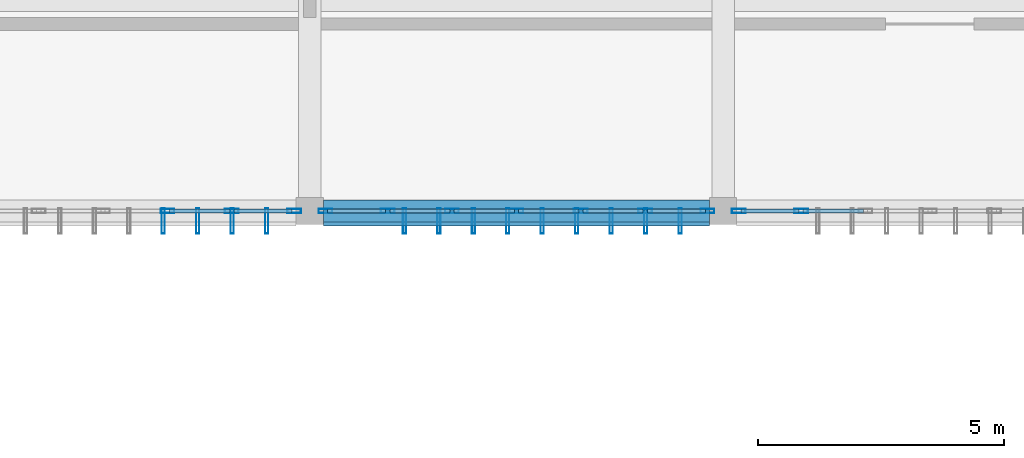
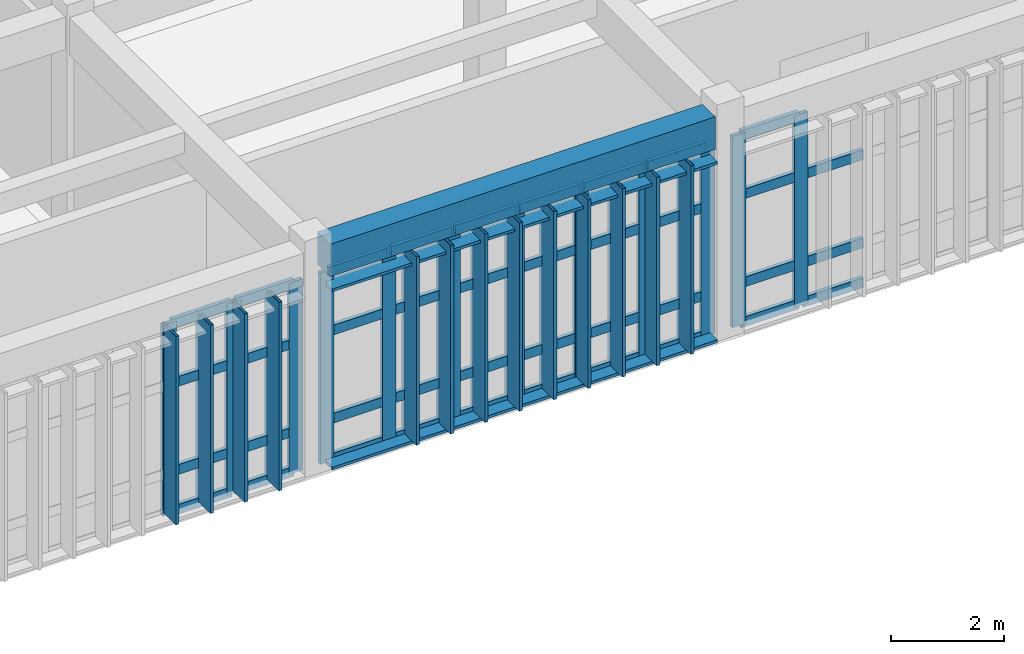
# One storey, part 44 of 106: 66 members, 1 beam, 3 elements without a shape of their own.
"""IFC4 building model written with IfcOpenShell, lengths in metres."""

from ifc_helpers import new_model, si_unit, direction, frame, origin, origin_2d, place, context, subcontext, project, spatial, rectangle, hollow_rectangle, extrude, material, layer, layer_set, material_profile, profile_set, type_object, element, aggregate, save


model = new_model("IFC4")

# Units and contexts
model_context = context("Model", 3, precision=1e-05, world=origin(), true_north=direction((0.0, 1.0)))
body_context = subcontext(model_context, "Body", "Model", "MODEL_VIEW")
ifc_project = project(units=[si_unit("LENGTHUNIT", "METRE"), si_unit("AREAUNIT", "SQUARE_METRE"), si_unit("VOLUMEUNIT", "CUBIC_METRE"), si_unit("PLANEANGLEUNIT", "RADIAN"), si_unit("MASSUNIT", "GRAM", prefix="KILO")], contexts=[model_context])

# Site, building, storey
site_placement = place(None, origin())
site = spatial("IfcSite", under=ifc_project, at=site_placement, CompositionType="ELEMENT")
building_placement = place(site_placement, origin())
building = spatial("IfcBuilding", under=site, at=building_placement, Name="Krzemoval Escarpment Law Courts", CompositionType="ELEMENT")
storey_placement = place(building_placement, frame((0.0, 0.0, 5.10009765625)))
storey = spatial("IfcBuildingStorey", under=building, at=storey_placement, Name="L01", CompositionType="ELEMENT", Elevation=5.10009765625)

# Beam
ifc_material_1 = material(Name="Concrete C40/50", Category="concrete")
ifc_material_profile_1 = material_profile(ifc_material_1, rectangle(XDim=0.449951171875, YDim=0.699951171875, at=origin_2d()), Name="RCB 450x700")
ifc_profile_set_1 = profile_set([ifc_material_profile_1], Name="Concrete C40/50")
beam_type = type_object("IfcBeamType", Name="BM-RC-450x700", PredefinedType="BEAM", material=ifc_profile_set_1)
beam_placement = place(storey_placement, frame((67.47509765625, 99.60009765625, 4.469970703125), z_axis=(1.0, 0.0, 0.0), x_axis=(0.0, 1.0, 0.0)))
element("IfcBeam", 1, at=beam_placement, inside=storey, type_object=beam_type, Name="Beam FG-L01-1307", PredefinedType="BEAM", context=body_context, shape_type="SweptSolid", body=[
    extrude(rectangle(XDim=0.449951171875, YDim=0.699951171875, at=origin_2d()), origin(), (0.0, 0.0, 1.0), 7.849853515625),
])

# Curtain wall, members
ifc_material_2 = material(Name="Aluminium 6063-T6", Category="aluminium")
ifc_layer = layer(ifc_material_2, 0.280029296875)
ifc_layer_set = layer_set([ifc_layer], Name="Aluminium 6063-T6")
curtain_wall_type = type_object("IfcCurtainWallType", Name="CW-HALL-5100", PredefinedType="USERDEFINED", material=ifc_layer_set)
curtain_wall_1_placement = place(storey_placement, origin())
curtain_wall_1 = element("IfcCurtainWall", 2, at=curtain_wall_1_placement, inside=storey, type_object=curtain_wall_type, Name="Unitised Curtain Wall FCW-L01-051", ObjectType="UNITISED_CURTAIN_WALL", PredefinedType="USERDEFINED")
ifc_material_3 = material(Name="Aluminium 6063-T6", Category="aluminium")
ifc_material_profile_2 = material_profile(ifc_material_3, hollow_rectangle(XDim=0.0849609375, YDim=0.280029296875, WallThickness=0.005615234375, at=origin_2d()), Name="ALU M85x280")
ifc_profile_set_2 = profile_set([ifc_material_profile_2], Name="Aluminium 6063-T6")
member_type_1 = type_object("IfcMemberType", Name="CWM-85x280", PredefinedType="MULLION", material=ifc_profile_set_2)
member_1_placement = place(storey_placement, frame((77.183349609375, 99.60009765625, 0.0), z_axis=(0.0, 0.0, 1.0), x_axis=(0.0, -1.0, 0.0)))
member_1 = element("IfcMember", 3, at=member_1_placement, type_object=member_type_1, Name="FCW-L01-051 mullion 6", PredefinedType="MULLION", context=body_context, shape_type="SweptSolid", body=[
    extrude(hollow_rectangle(XDim=0.0849609375, YDim=0.280029296875, WallThickness=0.005615234375, at=origin_2d()), origin(), (0.0, 0.0, 1.0), 4.119873046875),
])
member_2_placement = place(storey_placement, frame((75.91748046875, 99.60009765625, 0.0), z_axis=(0.0, 0.0, 1.0), x_axis=(0.0, -1.0, 0.0)))
member_2 = element("IfcMember", 4, at=member_2_placement, type_object=member_type_1, Name="FCW-L01-051 mullion 7", PredefinedType="MULLION", context=body_context, shape_type="SweptSolid", body=[
    extrude(hollow_rectangle(XDim=0.0849609375, YDim=0.280029296875, WallThickness=0.005615234375, at=origin_2d()), origin(), (0.0, 0.0, 1.0), 4.119873046875),
])

curtain_wall_2_placement = place(storey_placement, origin())
curtain_wall_2 = element("IfcCurtainWall", 5, at=curtain_wall_2_placement, inside=storey, type_object=curtain_wall_type, Name="Unitised Curtain Wall FCW-L01-052", ObjectType="UNITISED_CURTAIN_WALL", PredefinedType="USERDEFINED")
member_3_placement = place(storey_placement, frame((75.282470703125, 99.60009765625, 0.0), z_axis=(0.0, 0.0, 1.0), x_axis=(0.0, -1.0, 0.0)))
member_3 = element("IfcMember", 6, at=member_3_placement, type_object=member_type_1, Name="FCW-L01-052 mullion 1", PredefinedType="MULLION", context=body_context, shape_type="SweptSolid", body=[
    extrude(hollow_rectangle(XDim=0.0849609375, YDim=0.280029296875, WallThickness=0.005615234375, at=origin_2d()), origin(), (0.0, 0.0, 1.0), 4.119873046875),
])
member_4_placement = place(storey_placement, frame((74.0166015625, 99.60009765625, 0.0), z_axis=(0.0, 0.0, 1.0), x_axis=(0.0, -1.0, 0.0)))
member_4 = element("IfcMember", 7, at=member_4_placement, type_object=member_type_1, Name="FCW-L01-052 mullion 2", PredefinedType="MULLION", context=body_context, shape_type="SweptSolid", body=[
    extrude(hollow_rectangle(XDim=0.0849609375, YDim=0.280029296875, WallThickness=0.005615234375, at=origin_2d()), origin(), (0.0, 0.0, 1.0), 4.119873046875),
])
member_5_placement = place(storey_placement, frame((72.708251953125, 99.60009765625, 0.0), z_axis=(0.0, 0.0, 1.0), x_axis=(0.0, -1.0, 0.0)))
member_5 = element("IfcMember", 8, at=member_5_placement, type_object=member_type_1, Name="FCW-L01-052 mullion 3", PredefinedType="MULLION", context=body_context, shape_type="SweptSolid", body=[
    extrude(hollow_rectangle(XDim=0.0849609375, YDim=0.280029296875, WallThickness=0.005615234375, at=origin_2d()), origin(), (0.0, 0.0, 1.0), 4.119873046875),
])
member_6_placement = place(storey_placement, frame((71.39990234375, 99.60009765625, 0.0), z_axis=(0.0, 0.0, 1.0), x_axis=(0.0, -1.0, 0.0)))
member_6 = element("IfcMember", 9, at=member_6_placement, type_object=member_type_1, Name="FCW-L01-052 mullion 4", PredefinedType="MULLION", context=body_context, shape_type="SweptSolid", body=[
    extrude(hollow_rectangle(XDim=0.0849609375, YDim=0.280029296875, WallThickness=0.005615234375, at=origin_2d()), origin(), (0.0, 0.0, 1.0), 4.119873046875),
])
member_7_placement = place(storey_placement, frame((70.091552734375, 99.60009765625, 0.0), z_axis=(0.0, 0.0, 1.0), x_axis=(0.0, -1.0, 0.0)))
member_7 = element("IfcMember", 10, at=member_7_placement, type_object=member_type_1, Name="FCW-L01-052 mullion 5", PredefinedType="MULLION", context=body_context, shape_type="SweptSolid", body=[
    extrude(hollow_rectangle(XDim=0.0849609375, YDim=0.280029296875, WallThickness=0.005615234375, at=origin_2d()), origin(), (0.0, 0.0, 1.0), 4.119873046875),
])
member_8_placement = place(storey_placement, frame((68.783447265625, 99.60009765625, 0.0), z_axis=(0.0, 0.0, 1.0), x_axis=(0.0, -1.0, 0.0)))
member_8 = element("IfcMember", 11, at=member_8_placement, type_object=member_type_1, Name="FCW-L01-052 mullion 6", PredefinedType="MULLION", context=body_context, shape_type="SweptSolid", body=[
    extrude(hollow_rectangle(XDim=0.0849609375, YDim=0.280029296875, WallThickness=0.005615234375, at=origin_2d()), origin(), (0.0, 0.0, 1.0), 4.119873046875),
])
member_9_placement = place(storey_placement, frame((67.517578125, 99.60009765625, 0.0), z_axis=(0.0, 0.0, 1.0), x_axis=(0.0, -1.0, 0.0)))
member_9 = element("IfcMember", 12, at=member_9_placement, type_object=member_type_1, Name="FCW-L01-052 mullion 7", PredefinedType="MULLION", context=body_context, shape_type="SweptSolid", body=[
    extrude(hollow_rectangle(XDim=0.0849609375, YDim=0.280029296875, WallThickness=0.005615234375, at=origin_2d()), origin(), (0.0, 0.0, 1.0), 4.119873046875),
])

curtain_wall_3_placement = place(storey_placement, origin())
curtain_wall_3 = element("IfcCurtainWall", 13, at=curtain_wall_3_placement, inside=storey, type_object=curtain_wall_type, Name="Unitised Curtain Wall FCW-L01-053", ObjectType="UNITISED_CURTAIN_WALL", PredefinedType="USERDEFINED")
member_10_placement = place(storey_placement, frame((66.882568359375, 99.60009765625, 0.0), z_axis=(0.0, 0.0, 1.0), x_axis=(0.0, -1.0, 0.0)))
member_10 = element("IfcMember", 14, at=member_10_placement, type_object=member_type_1, Name="FCW-L01-053 mullion 1", PredefinedType="MULLION", context=body_context, shape_type="SweptSolid", body=[
    extrude(hollow_rectangle(XDim=0.0849609375, YDim=0.280029296875, WallThickness=0.005615234375, at=origin_2d()), origin(), (0.0, 0.0, 1.0), 4.119873046875),
])
member_11_placement = place(storey_placement, frame((65.61669921875, 99.60009765625, 0.0), z_axis=(0.0, 0.0, 1.0), x_axis=(0.0, -1.0, 0.0)))
member_11 = element("IfcMember", 15, at=member_11_placement, type_object=member_type_1, Name="FCW-L01-053 mullion 2", PredefinedType="MULLION", context=body_context, shape_type="SweptSolid", body=[
    extrude(hollow_rectangle(XDim=0.0849609375, YDim=0.280029296875, WallThickness=0.005615234375, at=origin_2d()), origin(), (0.0, 0.0, 1.0), 4.119873046875),
])
member_12_placement = place(storey_placement, frame((64.308349609375, 99.60009765625, 0.0), z_axis=(0.0, 0.0, 1.0), x_axis=(0.0, -1.0, 0.0)))
member_12 = element("IfcMember", 16, at=member_12_placement, type_object=member_type_1, Name="FCW-L01-053 mullion 3", PredefinedType="MULLION", context=body_context, shape_type="SweptSolid", body=[
    extrude(hollow_rectangle(XDim=0.0849609375, YDim=0.280029296875, WallThickness=0.005615234375, at=origin_2d()), origin(), (0.0, 0.0, 1.0), 4.119873046875),
])

# Member
ifc_material_4 = material(Name="Aluminium 6063-T6", Category="aluminium")
ifc_material_profile_3 = material_profile(ifc_material_4, hollow_rectangle(XDim=0.0849609375, YDim=0.2099609375, WallThickness=0.005615234375, at=origin_2d()), Name="ALU T85x210")
ifc_profile_set_3 = profile_set([ifc_material_profile_3], Name="Aluminium 6063-T6")
member_type_2 = type_object("IfcMemberType", Name="CWT-85x210", PredefinedType="USERDEFINED", material=ifc_profile_set_3)
member_13_placement = place(storey_placement, frame((78.44921875, 99.60009765625, 0.04248046875), z_axis=(-1.0, 0.0, 0.0), x_axis=(0.0, -1.0, 0.0)))
member_13 = element("IfcMember", 17, at=member_13_placement, type_object=member_type_2, Name="FCW-L01-051 transom 5.1", ObjectType="TRANSOM", PredefinedType="USERDEFINED", context=body_context, shape_type="SweptSolid", body=[
    extrude(hollow_rectangle(XDim=0.0849609375, YDim=0.2099609375, WallThickness=0.005615234375, at=origin_2d()), origin(), (0.0, 0.0, 1.0), 1.223388671875),
])

member_14_placement = place(storey_placement, frame((78.44921875, 99.60009765625, 0.89990234375), z_axis=(-1.0, 0.0, 0.0), x_axis=(0.0, -1.0, 0.0)))
member_14 = element("IfcMember", 18, at=member_14_placement, type_object=member_type_2, Name="FCW-L01-051 transom 5.2", ObjectType="TRANSOM", PredefinedType="USERDEFINED", context=body_context, shape_type="SweptSolid", body=[
    extrude(hollow_rectangle(XDim=0.0849609375, YDim=0.2099609375, WallThickness=0.005615234375, at=origin_2d()), origin(), (0.0, 0.0, 1.0), 1.223388671875),
])

member_15_placement = place(storey_placement, frame((78.44921875, 99.60009765625, 2.7998046875), z_axis=(-1.0, 0.0, 0.0), x_axis=(0.0, -1.0, 0.0)))
member_15 = element("IfcMember", 19, at=member_15_placement, type_object=member_type_2, Name="FCW-L01-051 transom 5.3", ObjectType="TRANSOM", PredefinedType="USERDEFINED", context=body_context, shape_type="SweptSolid", body=[
    extrude(hollow_rectangle(XDim=0.0849609375, YDim=0.2099609375, WallThickness=0.005615234375, at=origin_2d()), origin(), (0.0, 0.0, 1.0), 1.223388671875),
])

member_16_placement = place(storey_placement, frame((77.140869140625, 99.60009765625, 0.04248046875), z_axis=(-1.0, 0.0, 0.0), x_axis=(0.0, -1.0, 0.0)))
member_16 = element("IfcMember", 20, at=member_16_placement, type_object=member_type_2, Name="FCW-L01-051 transom 6.1", ObjectType="TRANSOM", PredefinedType="USERDEFINED", context=body_context, shape_type="SweptSolid", body=[
    extrude(hollow_rectangle(XDim=0.0849609375, YDim=0.2099609375, WallThickness=0.005615234375, at=origin_2d()), origin(), (0.0, 0.0, 1.0), 1.180908203125),
])

member_17_placement = place(storey_placement, frame((77.140869140625, 99.60009765625, 0.89990234375), z_axis=(-1.0, 0.0, 0.0), x_axis=(0.0, -1.0, 0.0)))
member_17 = element("IfcMember", 21, at=member_17_placement, type_object=member_type_2, Name="FCW-L01-051 transom 6.2", ObjectType="TRANSOM", PredefinedType="USERDEFINED", context=body_context, shape_type="SweptSolid", body=[
    extrude(hollow_rectangle(XDim=0.0849609375, YDim=0.2099609375, WallThickness=0.005615234375, at=origin_2d()), origin(), (0.0, 0.0, 1.0), 1.180908203125),
])

member_18_placement = place(storey_placement, frame((77.140869140625, 99.60009765625, 2.7998046875), z_axis=(-1.0, 0.0, 0.0), x_axis=(0.0, -1.0, 0.0)))
member_18 = element("IfcMember", 22, at=member_18_placement, type_object=member_type_2, Name="FCW-L01-051 transom 6.3", ObjectType="TRANSOM", PredefinedType="USERDEFINED", context=body_context, shape_type="SweptSolid", body=[
    extrude(hollow_rectangle(XDim=0.0849609375, YDim=0.2099609375, WallThickness=0.005615234375, at=origin_2d()), origin(), (0.0, 0.0, 1.0), 1.180908203125),
])

member_19_placement = place(storey_placement, frame((77.140869140625, 99.60009765625, 4.077392578125), z_axis=(-1.0, 0.0, 0.0), x_axis=(0.0, -1.0, 0.0)))
member_19 = element("IfcMember", 23, at=member_19_placement, type_object=member_type_2, Name="FCW-L01-051 transom 6.4", ObjectType="TRANSOM", PredefinedType="USERDEFINED", context=body_context, shape_type="SweptSolid", body=[
    extrude(hollow_rectangle(XDim=0.0849609375, YDim=0.2099609375, WallThickness=0.005615234375, at=origin_2d()), origin(), (0.0, 0.0, 1.0), 1.180908203125),
])

aggregate(curtain_wall_1, [member_1, member_2, member_13, member_14, member_15, member_16, member_17, member_18, member_19])

member_20_placement = place(storey_placement, frame((75.239990234375, 99.60009765625, 0.04248046875), z_axis=(-1.0, 0.0, 0.0), x_axis=(0.0, -1.0, 0.0)))
member_20 = element("IfcMember", 24, at=member_20_placement, type_object=member_type_2, Name="FCW-L01-052 transom 1.1", ObjectType="TRANSOM", PredefinedType="USERDEFINED", context=body_context, shape_type="SweptSolid", body=[
    extrude(hollow_rectangle(XDim=0.0849609375, YDim=0.2099609375, WallThickness=0.005615234375, at=origin_2d()), origin(), (0.0, 0.0, 1.0), 1.180908203125),
])

member_21_placement = place(storey_placement, frame((75.239990234375, 99.60009765625, 0.89990234375), z_axis=(-1.0, 0.0, 0.0), x_axis=(0.0, -1.0, 0.0)))
member_21 = element("IfcMember", 25, at=member_21_placement, type_object=member_type_2, Name="FCW-L01-052 transom 1.2", ObjectType="TRANSOM", PredefinedType="USERDEFINED", context=body_context, shape_type="SweptSolid", body=[
    extrude(hollow_rectangle(XDim=0.0849609375, YDim=0.2099609375, WallThickness=0.005615234375, at=origin_2d()), origin(), (0.0, 0.0, 1.0), 1.180908203125),
])

member_22_placement = place(storey_placement, frame((75.239990234375, 99.60009765625, 2.7998046875), z_axis=(-1.0, 0.0, 0.0), x_axis=(0.0, -1.0, 0.0)))
member_22 = element("IfcMember", 26, at=member_22_placement, type_object=member_type_2, Name="FCW-L01-052 transom 1.3", ObjectType="TRANSOM", PredefinedType="USERDEFINED", context=body_context, shape_type="SweptSolid", body=[
    extrude(hollow_rectangle(XDim=0.0849609375, YDim=0.2099609375, WallThickness=0.005615234375, at=origin_2d()), origin(), (0.0, 0.0, 1.0), 1.180908203125),
])

member_23_placement = place(storey_placement, frame((75.239990234375, 99.60009765625, 4.077392578125), z_axis=(-1.0, 0.0, 0.0), x_axis=(0.0, -1.0, 0.0)))
member_23 = element("IfcMember", 27, at=member_23_placement, type_object=member_type_2, Name="FCW-L01-052 transom 1.4", ObjectType="TRANSOM", PredefinedType="USERDEFINED", context=body_context, shape_type="SweptSolid", body=[
    extrude(hollow_rectangle(XDim=0.0849609375, YDim=0.2099609375, WallThickness=0.005615234375, at=origin_2d()), origin(), (0.0, 0.0, 1.0), 1.180908203125),
])

member_24_placement = place(storey_placement, frame((73.97412109375, 99.60009765625, 0.04248046875), z_axis=(-1.0, 0.0, 0.0), x_axis=(0.0, -1.0, 0.0)))
member_24 = element("IfcMember", 28, at=member_24_placement, type_object=member_type_2, Name="FCW-L01-052 transom 2.1", ObjectType="TRANSOM", PredefinedType="USERDEFINED", context=body_context, shape_type="SweptSolid", body=[
    extrude(hollow_rectangle(XDim=0.0849609375, YDim=0.2099609375, WallThickness=0.005615234375, at=origin_2d()), origin(), (0.0, 0.0, 1.0), 1.223388671875),
])

member_25_placement = place(storey_placement, frame((73.97412109375, 99.60009765625, 0.89990234375), z_axis=(-1.0, 0.0, 0.0), x_axis=(0.0, -1.0, 0.0)))
member_25 = element("IfcMember", 29, at=member_25_placement, type_object=member_type_2, Name="FCW-L01-052 transom 2.2", ObjectType="TRANSOM", PredefinedType="USERDEFINED", context=body_context, shape_type="SweptSolid", body=[
    extrude(hollow_rectangle(XDim=0.0849609375, YDim=0.2099609375, WallThickness=0.005615234375, at=origin_2d()), origin(), (0.0, 0.0, 1.0), 1.223388671875),
])

member_26_placement = place(storey_placement, frame((73.97412109375, 99.60009765625, 2.7998046875), z_axis=(-1.0, 0.0, 0.0), x_axis=(0.0, -1.0, 0.0)))
member_26 = element("IfcMember", 30, at=member_26_placement, type_object=member_type_2, Name="FCW-L01-052 transom 2.3", ObjectType="TRANSOM", PredefinedType="USERDEFINED", context=body_context, shape_type="SweptSolid", body=[
    extrude(hollow_rectangle(XDim=0.0849609375, YDim=0.2099609375, WallThickness=0.005615234375, at=origin_2d()), origin(), (0.0, 0.0, 1.0), 1.223388671875),
])

member_27_placement = place(storey_placement, frame((73.97412109375, 99.60009765625, 4.077392578125), z_axis=(-1.0, 0.0, 0.0), x_axis=(0.0, -1.0, 0.0)))
member_27 = element("IfcMember", 31, at=member_27_placement, type_object=member_type_2, Name="FCW-L01-052 transom 2.4", ObjectType="TRANSOM", PredefinedType="USERDEFINED", context=body_context, shape_type="SweptSolid", body=[
    extrude(hollow_rectangle(XDim=0.0849609375, YDim=0.2099609375, WallThickness=0.005615234375, at=origin_2d()), origin(), (0.0, 0.0, 1.0), 1.223388671875),
])

member_28_placement = place(storey_placement, frame((72.665771484375, 99.60009765625, 0.04248046875), z_axis=(-1.0, 0.0, 0.0), x_axis=(0.0, -1.0, 0.0)))
member_28 = element("IfcMember", 32, at=member_28_placement, type_object=member_type_2, Name="FCW-L01-052 transom 3.1", ObjectType="TRANSOM", PredefinedType="USERDEFINED", context=body_context, shape_type="SweptSolid", body=[
    extrude(hollow_rectangle(XDim=0.0849609375, YDim=0.2099609375, WallThickness=0.005615234375, at=origin_2d()), origin(), (0.0, 0.0, 1.0), 1.223388671875),
])

member_29_placement = place(storey_placement, frame((72.665771484375, 99.60009765625, 0.89990234375), z_axis=(-1.0, 0.0, 0.0), x_axis=(0.0, -1.0, 0.0)))
member_29 = element("IfcMember", 33, at=member_29_placement, type_object=member_type_2, Name="FCW-L01-052 transom 3.2", ObjectType="TRANSOM", PredefinedType="USERDEFINED", context=body_context, shape_type="SweptSolid", body=[
    extrude(hollow_rectangle(XDim=0.0849609375, YDim=0.2099609375, WallThickness=0.005615234375, at=origin_2d()), origin(), (0.0, 0.0, 1.0), 1.223388671875),
])

member_30_placement = place(storey_placement, frame((72.665771484375, 99.60009765625, 2.7998046875), z_axis=(-1.0, 0.0, 0.0), x_axis=(0.0, -1.0, 0.0)))
member_30 = element("IfcMember", 34, at=member_30_placement, type_object=member_type_2, Name="FCW-L01-052 transom 3.3", ObjectType="TRANSOM", PredefinedType="USERDEFINED", context=body_context, shape_type="SweptSolid", body=[
    extrude(hollow_rectangle(XDim=0.0849609375, YDim=0.2099609375, WallThickness=0.005615234375, at=origin_2d()), origin(), (0.0, 0.0, 1.0), 1.223388671875),
])

member_31_placement = place(storey_placement, frame((72.665771484375, 99.60009765625, 4.077392578125), z_axis=(-1.0, 0.0, 0.0), x_axis=(0.0, -1.0, 0.0)))
member_31 = element("IfcMember", 35, at=member_31_placement, type_object=member_type_2, Name="FCW-L01-052 transom 3.4", ObjectType="TRANSOM", PredefinedType="USERDEFINED", context=body_context, shape_type="SweptSolid", body=[
    extrude(hollow_rectangle(XDim=0.0849609375, YDim=0.2099609375, WallThickness=0.005615234375, at=origin_2d()), origin(), (0.0, 0.0, 1.0), 1.223388671875),
])

member_32_placement = place(storey_placement, frame((71.357421875, 99.60009765625, 0.04248046875), z_axis=(-1.0, 0.0, 0.0), x_axis=(0.0, -1.0, 0.0)))
member_32 = element("IfcMember", 36, at=member_32_placement, type_object=member_type_2, Name="FCW-L01-052 transom 4.1", ObjectType="TRANSOM", PredefinedType="USERDEFINED", context=body_context, shape_type="SweptSolid", body=[
    extrude(hollow_rectangle(XDim=0.0849609375, YDim=0.2099609375, WallThickness=0.005615234375, at=origin_2d()), origin(), (0.0, 0.0, 1.0), 1.22314453125),
])

member_33_placement = place(storey_placement, frame((71.357421875, 99.60009765625, 0.89990234375), z_axis=(-1.0, 0.0, 0.0), x_axis=(0.0, -1.0, 0.0)))
member_33 = element("IfcMember", 37, at=member_33_placement, type_object=member_type_2, Name="FCW-L01-052 transom 4.2", ObjectType="TRANSOM", PredefinedType="USERDEFINED", context=body_context, shape_type="SweptSolid", body=[
    extrude(hollow_rectangle(XDim=0.0849609375, YDim=0.2099609375, WallThickness=0.005615234375, at=origin_2d()), origin(), (0.0, 0.0, 1.0), 1.22314453125),
])

member_34_placement = place(storey_placement, frame((71.357421875, 99.60009765625, 2.7998046875), z_axis=(-1.0, 0.0, 0.0), x_axis=(0.0, -1.0, 0.0)))
member_34 = element("IfcMember", 38, at=member_34_placement, type_object=member_type_2, Name="FCW-L01-052 transom 4.3", ObjectType="TRANSOM", PredefinedType="USERDEFINED", context=body_context, shape_type="SweptSolid", body=[
    extrude(hollow_rectangle(XDim=0.0849609375, YDim=0.2099609375, WallThickness=0.005615234375, at=origin_2d()), origin(), (0.0, 0.0, 1.0), 1.22314453125),
])

member_35_placement = place(storey_placement, frame((71.357421875, 99.60009765625, 4.077392578125), z_axis=(-1.0, 0.0, 0.0), x_axis=(0.0, -1.0, 0.0)))
member_35 = element("IfcMember", 39, at=member_35_placement, type_object=member_type_2, Name="FCW-L01-052 transom 4.4", ObjectType="TRANSOM", PredefinedType="USERDEFINED", context=body_context, shape_type="SweptSolid", body=[
    extrude(hollow_rectangle(XDim=0.0849609375, YDim=0.2099609375, WallThickness=0.005615234375, at=origin_2d()), origin(), (0.0, 0.0, 1.0), 1.22314453125),
])

member_36_placement = place(storey_placement, frame((70.049072265625, 99.60009765625, 0.04248046875), z_axis=(-1.0, 0.0, 0.0), x_axis=(0.0, -1.0, 0.0)))
member_36 = element("IfcMember", 40, at=member_36_placement, type_object=member_type_2, Name="FCW-L01-052 transom 5.1", ObjectType="TRANSOM", PredefinedType="USERDEFINED", context=body_context, shape_type="SweptSolid", body=[
    extrude(hollow_rectangle(XDim=0.0849609375, YDim=0.2099609375, WallThickness=0.005615234375, at=origin_2d()), origin(), (0.0, 0.0, 1.0), 1.22314453125),
])

member_37_placement = place(storey_placement, frame((70.049072265625, 99.60009765625, 0.89990234375), z_axis=(-1.0, 0.0, 0.0), x_axis=(0.0, -1.0, 0.0)))
member_37 = element("IfcMember", 41, at=member_37_placement, type_object=member_type_2, Name="FCW-L01-052 transom 5.2", ObjectType="TRANSOM", PredefinedType="USERDEFINED", context=body_context, shape_type="SweptSolid", body=[
    extrude(hollow_rectangle(XDim=0.0849609375, YDim=0.2099609375, WallThickness=0.005615234375, at=origin_2d()), origin(), (0.0, 0.0, 1.0), 1.22314453125),
])

member_38_placement = place(storey_placement, frame((70.049072265625, 99.60009765625, 2.7998046875), z_axis=(-1.0, 0.0, 0.0), x_axis=(0.0, -1.0, 0.0)))
member_38 = element("IfcMember", 42, at=member_38_placement, type_object=member_type_2, Name="FCW-L01-052 transom 5.3", ObjectType="TRANSOM", PredefinedType="USERDEFINED", context=body_context, shape_type="SweptSolid", body=[
    extrude(hollow_rectangle(XDim=0.0849609375, YDim=0.2099609375, WallThickness=0.005615234375, at=origin_2d()), origin(), (0.0, 0.0, 1.0), 1.22314453125),
])

member_39_placement = place(storey_placement, frame((70.049072265625, 99.60009765625, 4.077392578125), z_axis=(-1.0, 0.0, 0.0), x_axis=(0.0, -1.0, 0.0)))
member_39 = element("IfcMember", 43, at=member_39_placement, type_object=member_type_2, Name="FCW-L01-052 transom 5.4", ObjectType="TRANSOM", PredefinedType="USERDEFINED", context=body_context, shape_type="SweptSolid", body=[
    extrude(hollow_rectangle(XDim=0.0849609375, YDim=0.2099609375, WallThickness=0.005615234375, at=origin_2d()), origin(), (0.0, 0.0, 1.0), 1.22314453125),
])

member_40_placement = place(storey_placement, frame((68.74072265625, 99.60009765625, 0.04248046875), z_axis=(-1.0, 0.0, 0.0), x_axis=(0.0, -1.0, 0.0)))
member_40 = element("IfcMember", 44, at=member_40_placement, type_object=member_type_2, Name="FCW-L01-052 transom 6.1", ObjectType="TRANSOM", PredefinedType="USERDEFINED", context=body_context, shape_type="SweptSolid", body=[
    extrude(hollow_rectangle(XDim=0.0849609375, YDim=0.2099609375, WallThickness=0.005615234375, at=origin_2d()), origin(), (0.0, 0.0, 1.0), 1.1806640625),
])

member_41_placement = place(storey_placement, frame((68.74072265625, 99.60009765625, 0.89990234375), z_axis=(-1.0, 0.0, 0.0), x_axis=(0.0, -1.0, 0.0)))
member_41 = element("IfcMember", 45, at=member_41_placement, type_object=member_type_2, Name="FCW-L01-052 transom 6.2", ObjectType="TRANSOM", PredefinedType="USERDEFINED", context=body_context, shape_type="SweptSolid", body=[
    extrude(hollow_rectangle(XDim=0.0849609375, YDim=0.2099609375, WallThickness=0.005615234375, at=origin_2d()), origin(), (0.0, 0.0, 1.0), 1.1806640625),
])

member_42_placement = place(storey_placement, frame((68.74072265625, 99.60009765625, 2.7998046875), z_axis=(-1.0, 0.0, 0.0), x_axis=(0.0, -1.0, 0.0)))
member_42 = element("IfcMember", 46, at=member_42_placement, type_object=member_type_2, Name="FCW-L01-052 transom 6.3", ObjectType="TRANSOM", PredefinedType="USERDEFINED", context=body_context, shape_type="SweptSolid", body=[
    extrude(hollow_rectangle(XDim=0.0849609375, YDim=0.2099609375, WallThickness=0.005615234375, at=origin_2d()), origin(), (0.0, 0.0, 1.0), 1.1806640625),
])

member_43_placement = place(storey_placement, frame((68.74072265625, 99.60009765625, 4.077392578125), z_axis=(-1.0, 0.0, 0.0), x_axis=(0.0, -1.0, 0.0)))
member_43 = element("IfcMember", 47, at=member_43_placement, type_object=member_type_2, Name="FCW-L01-052 transom 6.4", ObjectType="TRANSOM", PredefinedType="USERDEFINED", context=body_context, shape_type="SweptSolid", body=[
    extrude(hollow_rectangle(XDim=0.0849609375, YDim=0.2099609375, WallThickness=0.005615234375, at=origin_2d()), origin(), (0.0, 0.0, 1.0), 1.1806640625),
])

aggregate(curtain_wall_2, [member_3, member_4, member_5, member_6, member_7, member_8, member_9, member_20, member_21, member_22, member_23, member_24, member_25, member_26, member_27, member_28, member_29, member_30, member_31, member_32, member_33, member_34, member_35, member_36, member_37, member_38, member_39, member_40, member_41, member_42, member_43])

member_44_placement = place(storey_placement, frame((66.840087890625, 99.60009765625, 0.04248046875), z_axis=(-1.0, 0.0, 0.0), x_axis=(0.0, -1.0, 0.0)))
member_44 = element("IfcMember", 48, at=member_44_placement, type_object=member_type_2, Name="FCW-L01-053 transom 1.1", ObjectType="TRANSOM", PredefinedType="USERDEFINED", context=body_context, shape_type="SweptSolid", body=[
    extrude(hollow_rectangle(XDim=0.0849609375, YDim=0.2099609375, WallThickness=0.005615234375, at=origin_2d()), origin(), (0.0, 0.0, 1.0), 1.180908203125),
])

member_45_placement = place(storey_placement, frame((66.840087890625, 99.60009765625, 0.89990234375), z_axis=(-1.0, 0.0, 0.0), x_axis=(0.0, -1.0, 0.0)))
member_45 = element("IfcMember", 49, at=member_45_placement, type_object=member_type_2, Name="FCW-L01-053 transom 1.2", ObjectType="TRANSOM", PredefinedType="USERDEFINED", context=body_context, shape_type="SweptSolid", body=[
    extrude(hollow_rectangle(XDim=0.0849609375, YDim=0.2099609375, WallThickness=0.005615234375, at=origin_2d()), origin(), (0.0, 0.0, 1.0), 1.180908203125),
])

member_46_placement = place(storey_placement, frame((66.840087890625, 99.60009765625, 2.7998046875), z_axis=(-1.0, 0.0, 0.0), x_axis=(0.0, -1.0, 0.0)))
member_46 = element("IfcMember", 50, at=member_46_placement, type_object=member_type_2, Name="FCW-L01-053 transom 1.3", ObjectType="TRANSOM", PredefinedType="USERDEFINED", context=body_context, shape_type="SweptSolid", body=[
    extrude(hollow_rectangle(XDim=0.0849609375, YDim=0.2099609375, WallThickness=0.005615234375, at=origin_2d()), origin(), (0.0, 0.0, 1.0), 1.180908203125),
])

member_47_placement = place(storey_placement, frame((66.840087890625, 99.60009765625, 4.077392578125), z_axis=(-1.0, 0.0, 0.0), x_axis=(0.0, -1.0, 0.0)))
member_47 = element("IfcMember", 51, at=member_47_placement, type_object=member_type_2, Name="FCW-L01-053 transom 1.4", ObjectType="TRANSOM", PredefinedType="USERDEFINED", context=body_context, shape_type="SweptSolid", body=[
    extrude(hollow_rectangle(XDim=0.0849609375, YDim=0.2099609375, WallThickness=0.005615234375, at=origin_2d()), origin(), (0.0, 0.0, 1.0), 1.180908203125),
])

member_48_placement = place(storey_placement, frame((65.57421875, 99.60009765625, 0.04248046875), z_axis=(-1.0, 0.0, 0.0), x_axis=(0.0, -1.0, 0.0)))
member_48 = element("IfcMember", 52, at=member_48_placement, type_object=member_type_2, Name="FCW-L01-053 transom 2.1", ObjectType="TRANSOM", PredefinedType="USERDEFINED", context=body_context, shape_type="SweptSolid", body=[
    extrude(hollow_rectangle(XDim=0.0849609375, YDim=0.2099609375, WallThickness=0.005615234375, at=origin_2d()), origin(), (0.0, 0.0, 1.0), 1.223388671875),
])

member_49_placement = place(storey_placement, frame((65.57421875, 99.60009765625, 0.89990234375), z_axis=(-1.0, 0.0, 0.0), x_axis=(0.0, -1.0, 0.0)))
member_49 = element("IfcMember", 53, at=member_49_placement, type_object=member_type_2, Name="FCW-L01-053 transom 2.2", ObjectType="TRANSOM", PredefinedType="USERDEFINED", context=body_context, shape_type="SweptSolid", body=[
    extrude(hollow_rectangle(XDim=0.0849609375, YDim=0.2099609375, WallThickness=0.005615234375, at=origin_2d()), origin(), (0.0, 0.0, 1.0), 1.223388671875),
])

member_50_placement = place(storey_placement, frame((65.57421875, 99.60009765625, 2.7998046875), z_axis=(-1.0, 0.0, 0.0), x_axis=(0.0, -1.0, 0.0)))
member_50 = element("IfcMember", 54, at=member_50_placement, type_object=member_type_2, Name="FCW-L01-053 transom 2.3", ObjectType="TRANSOM", PredefinedType="USERDEFINED", context=body_context, shape_type="SweptSolid", body=[
    extrude(hollow_rectangle(XDim=0.0849609375, YDim=0.2099609375, WallThickness=0.005615234375, at=origin_2d()), origin(), (0.0, 0.0, 1.0), 1.223388671875),
])

member_51_placement = place(storey_placement, frame((65.57421875, 99.60009765625, 4.077392578125), z_axis=(-1.0, 0.0, 0.0), x_axis=(0.0, -1.0, 0.0)))
member_51 = element("IfcMember", 55, at=member_51_placement, type_object=member_type_2, Name="FCW-L01-053 transom 2.4", ObjectType="TRANSOM", PredefinedType="USERDEFINED", context=body_context, shape_type="SweptSolid", body=[
    extrude(hollow_rectangle(XDim=0.0849609375, YDim=0.2099609375, WallThickness=0.005615234375, at=origin_2d()), origin(), (0.0, 0.0, 1.0), 1.223388671875),
])

aggregate(curtain_wall_3, [member_10, member_11, member_12, member_44, member_45, member_46, member_47, member_48, member_49, member_50, member_51])

# Members
ifc_material_5 = material(Name="Anodised Aluminium Alloy 6063-T6", Category="aluminium")
ifc_material_profile_4 = material_profile(ifc_material_5, hollow_rectangle(XDim=0.06005859375, YDim=0.320068359375, WallThickness=0.00390625, at=origin_2d()), Name="ALU LVR 60x320")
ifc_profile_set_4 = profile_set([ifc_material_profile_4], Name="Anodised Aluminium Alloy 6063-T6")
member_type_3 = type_object("IfcMemberType", Name="LVR-ALU-320", PredefinedType="USERDEFINED", material=ifc_profile_set_4)
for number, where, z_axis, x_axis, name in (
    (56, (75.324951171875, 99.4599609375, 0.02978515625), (-1.0, 0.0, 0.0), (0.0, 0.0, 1.0), "Sunshade Support Rail FSR-L01-0246"),
    (57, (75.324951171875, 99.4599609375, 3.869873046875), (-1.0, 0.0, 0.0), (0.0, 0.0, 1.0), "Sunshade Support Rail FSR-L01-0247"),
):
    element("IfcMember", number, at=place(storey_placement, frame(where, z_axis=z_axis, x_axis=x_axis)), inside=storey, type_object=member_type_3, Name=name, ObjectType="SUNSHADE_LOUVRE", PredefinedType="USERDEFINED", context=body_context, shape_type="SweptSolid", body=[
        extrude(hollow_rectangle(XDim=0.06005859375, YDim=0.320068359375, WallThickness=0.00390625, at=origin_2d()), origin(), (0.0, 0.0, 1.0), 7.849853515625),
    ])
ifc_material_6 = material(Name="Anodised Aluminium Alloy 6063-T6", Category="aluminium")
ifc_material_profile_5 = material_profile(ifc_material_6, hollow_rectangle(XDim=0.06494140625, YDim=0.52001953125, WallThickness=0.00439453125, at=origin_2d()), Name="ALU LVR 65x520")
ifc_profile_set_5 = profile_set([ifc_material_profile_5], Name="Anodised Aluminium Alloy 6063-T6")
member_type_4 = type_object("IfcMemberType", Name="LVR-ALU-520", PredefinedType="USERDEFINED", material=ifc_profile_set_5)
for number, where, z_axis, x_axis, name in (
    (58, (74.72509765625, 99.39990234375, 0.059814453125), (0.0, 0.0, 1.0), (1.0, 0.0, 0.0), "Sunshade Louvre Fin FLV-L01-0248"),
    (59, (74.02490234375, 99.39990234375, 0.059814453125), (0.0, 0.0, 1.0), (1.0, 0.0, 0.0), "Sunshade Louvre Fin FLV-L01-0249"),
    (60, (73.324951171875, 99.39990234375, 0.059814453125), (0.0, 0.0, 1.0), (1.0, 0.0, 0.0), "Sunshade Louvre Fin FLV-L01-0250"),
    (61, (72.625, 99.39990234375, 0.059814453125), (0.0, 0.0, 1.0), (1.0, 0.0, 0.0), "Sunshade Louvre Fin FLV-L01-0251"),
    (62, (71.925048828125, 99.39990234375, 0.059814453125), (0.0, 0.0, 1.0), (1.0, 0.0, 0.0), "Sunshade Louvre Fin FLV-L01-0252"),
    (63, (71.22509765625, 99.39990234375, 0.059814453125), (0.0, 0.0, 1.0), (1.0, 0.0, 0.0), "Sunshade Louvre Fin FLV-L01-0253"),
    (64, (70.52490234375, 99.39990234375, 0.059814453125), (0.0, 0.0, 1.0), (1.0, 0.0, 0.0), "Sunshade Louvre Fin FLV-L01-0254"),
    (65, (69.824951171875, 99.39990234375, 0.059814453125), (0.0, 0.0, 1.0), (1.0, 0.0, 0.0), "Sunshade Louvre Fin FLV-L01-0255"),
    (66, (69.125, 99.39990234375, 0.059814453125), (0.0, 0.0, 1.0), (1.0, 0.0, 0.0), "Sunshade Louvre Fin FLV-L01-0256"),
    (67, (66.324951171875, 99.39990234375, 0.059814453125), (0.0, 0.0, 1.0), (1.0, 0.0, 0.0), "Sunshade Louvre Fin FLV-L01-0259"),
    (68, (65.625, 99.39990234375, 0.059814453125), (0.0, 0.0, 1.0), (1.0, 0.0, 0.0), "Sunshade Louvre Fin FLV-L01-0260"),
    (69, (64.925048828125, 99.39990234375, 0.059814453125), (0.0, 0.0, 1.0), (1.0, 0.0, 0.0), "Sunshade Louvre Fin FLV-L01-0261"),
    (70, (64.22509765625, 99.39990234375, 0.059814453125), (0.0, 0.0, 1.0), (1.0, 0.0, 0.0), "Sunshade Louvre Fin FLV-L01-0262"),
):
    element("IfcMember", number, at=place(storey_placement, frame(where, z_axis=z_axis, x_axis=x_axis)), inside=storey, type_object=member_type_4, Name=name, ObjectType="SUNSHADE_LOUVRE", PredefinedType="USERDEFINED", context=body_context, shape_type="SweptSolid", body=[
        extrude(hollow_rectangle(XDim=0.06494140625, YDim=0.52001953125, WallThickness=0.00439453125, at=origin_2d()), origin(), (0.0, 0.0, 1.0), 4.06005859375),
    ])

save(model, "model.ifc")
